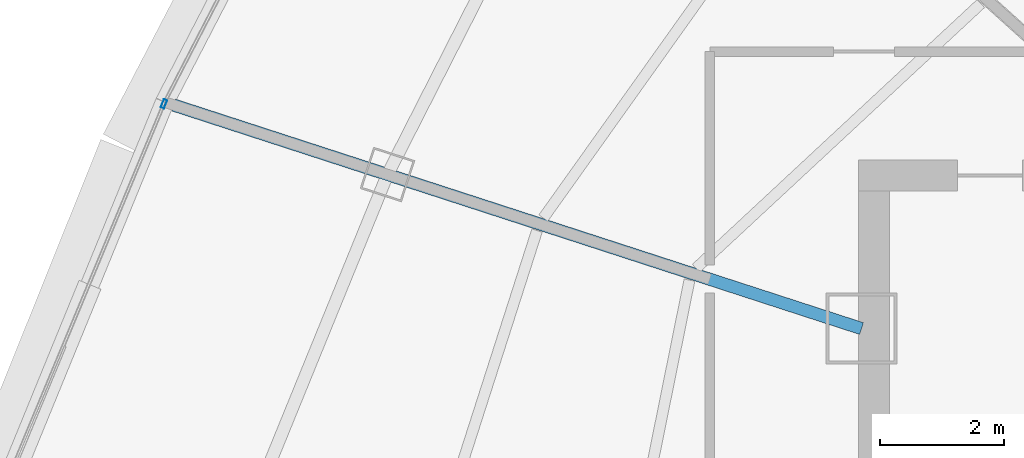
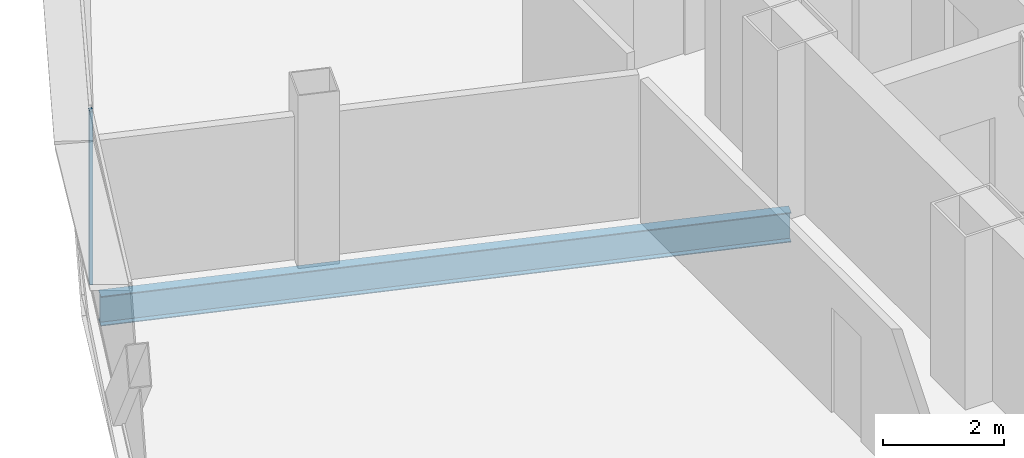
# One storey, part 8 of 33: 1 beam, 1 member, 1 element without a shape of its own.
"""IFC4 building model written with IfcOpenShell, lengths in metres."""

from ifc_helpers import new_model, si_unit, direction, frame, origin, origin_2d, place, context, subcontext, project, spatial, hollow_rectangle, i_section, extrude, source, transform, mapped, material, layer, layer_set, material_profile, profile_set, type_object, element, aggregate, save


model = new_model("IFC4")

# Units and contexts
model_context = context("Model", 3, precision=1e-05, world=origin(), true_north=direction((0.0, 1.0)))
body_context = subcontext(model_context, "Body", "Model", "MODEL_VIEW")
ifc_project = project(units=[si_unit("LENGTHUNIT", "METRE"), si_unit("AREAUNIT", "SQUARE_METRE"), si_unit("VOLUMEUNIT", "CUBIC_METRE"), si_unit("PLANEANGLEUNIT", "RADIAN"), si_unit("MASSUNIT", "GRAM", prefix="KILO"), si_unit("THERMODYNAMICTEMPERATUREUNIT", "KELVIN"), si_unit("POWERUNIT", "WATT")], contexts=[model_context])

# Site, building, storey
site_placement = place(None, origin())
site = spatial("IfcSite", under=ifc_project, at=site_placement, CompositionType="ELEMENT")
building_placement = place(site_placement, origin())
building = spatial("IfcBuilding", under=site, at=building_placement, Name="Yunzhuo Pagoda Commons", CompositionType="ELEMENT")
storey_placement = place(building_placement, frame((0.0, 0.0, 325.510009765625)))
storey = spatial("IfcBuildingStorey", under=building, at=storey_placement, Name="L81", CompositionType="ELEMENT", Elevation=325.510009765625)

# Beam
ifc_material_1 = material(Name="Structural steel Q355B", Category="steel")
ifc_material_profile_1 = material_profile(ifc_material_1, i_section(OverallWidth=0.199951171875, OverallDepth=0.60009765625, WebThickness=0.010986328125, FlangeThickness=0.01708984375, at=origin_2d()), Name="Structural steel Q355B")
ifc_profile_set_1 = profile_set([ifc_material_profile_1], Name="Structural steel Q355B")
beam_type = type_object("IfcBeamType", Name="B-RG3 Beam HN 600x200x11x17", PredefinedType="BEAM", material=ifc_profile_set_1)
shared_shape_1 = source(origin(), body_context, "Body", "SweptSolid", [
    extrude(i_section(OverallWidth=0.199951171875, OverallDepth=0.60009765625, WebThickness=0.010986328125, FlangeThickness=0.01708984375, at=origin_2d()), origin(), (0.0, 0.0, 1.0), 11.67578125),
])
beam_placement = place(storey_placement, frame((24.495849609375, 41.3369140625, -0.56005859375), z_axis=(0.951058498421, -0.309010893953, 0.0), x_axis=(0.309010893953, 0.951058498421, 0.0)))
element("IfcBeam", 1, at=beam_placement, inside=storey, type_object=beam_type, Name="L81 radial floor girder F3C3", PredefinedType="BEAM", context=body_context, shape_type="MappedRepresentation", body=[
    mapped(shared_shape_1, transform((0.0, 0.0, 0.0), scale=1.0)),
])

# Curtain wall, member
ifc_material_2 = material(Name="Anodized aluminium 6063-T6", Category="aluminium")
ifc_layer = layer(ifc_material_2, 0.139892578125)
ifc_layer_set = layer_set([ifc_layer], Name="Anodized aluminium 6063-T6")
curtain_wall_type = type_object("IfcCurtainWallType", Name="CW-HI High-Zone Ribbon Curtain Wall", PredefinedType="NOTDEFINED", material=ifc_layer_set)
curtain_wall_placement = place(storey_placement, origin())
curtain_wall = element("IfcCurtainWall", 2, at=curtain_wall_placement, inside=storey, type_object=curtain_wall_type, Name="L81 curtain wall CW-L81-F3B4", PredefinedType="NOTDEFINED")
ifc_material_profile_2 = material_profile(ifc_material_2, hollow_rectangle(XDim=0.06005859375, YDim=0.139892578125, WallThickness=0.00341796875, at=origin_2d()), Name="Anodized aluminium 6063-T6")
ifc_profile_set_2 = profile_set([ifc_material_profile_2], Name="Anodized aluminium 6063-T6")
member_type = type_object("IfcMemberType", Name="CW-HI-M Mullion RHS 140x60x3.5", PredefinedType="MULLION", material=ifc_profile_set_2)
shared_shape_2 = source(origin(), body_context, "Body", "SweptSolid", [
    extrude(hollow_rectangle(XDim=0.06005859375, YDim=0.139892578125, WallThickness=0.00341796875, at=origin_2d()), origin(), (0.0, 0.0, 1.0), 3.489990234375),
])
member_placement = place(storey_placement, frame((24.336669921875, 41.357177734375, 0.0), z_axis=(0.0, 0.0, 1.0), x_axis=(0.923407166951, -0.383821838909, 0.0)))
member = element("IfcMember", 3, at=member_placement, type_object=member_type, Name="CW mullion 1", PredefinedType="MULLION", context=body_context, shape_type="MappedRepresentation", body=[
    mapped(shared_shape_2, transform((0.0, 0.0, 0.0), scale=1.0)),
])
aggregate(curtain_wall, [member])

save(model, "model.ifc")
